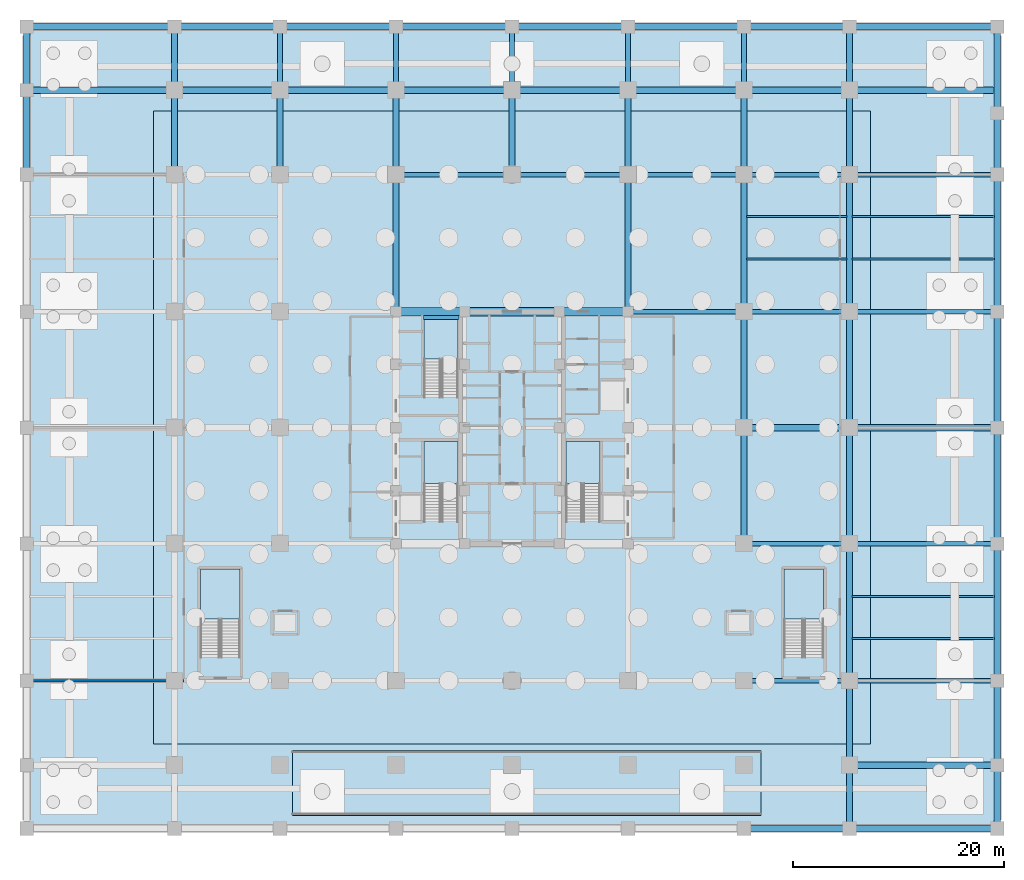
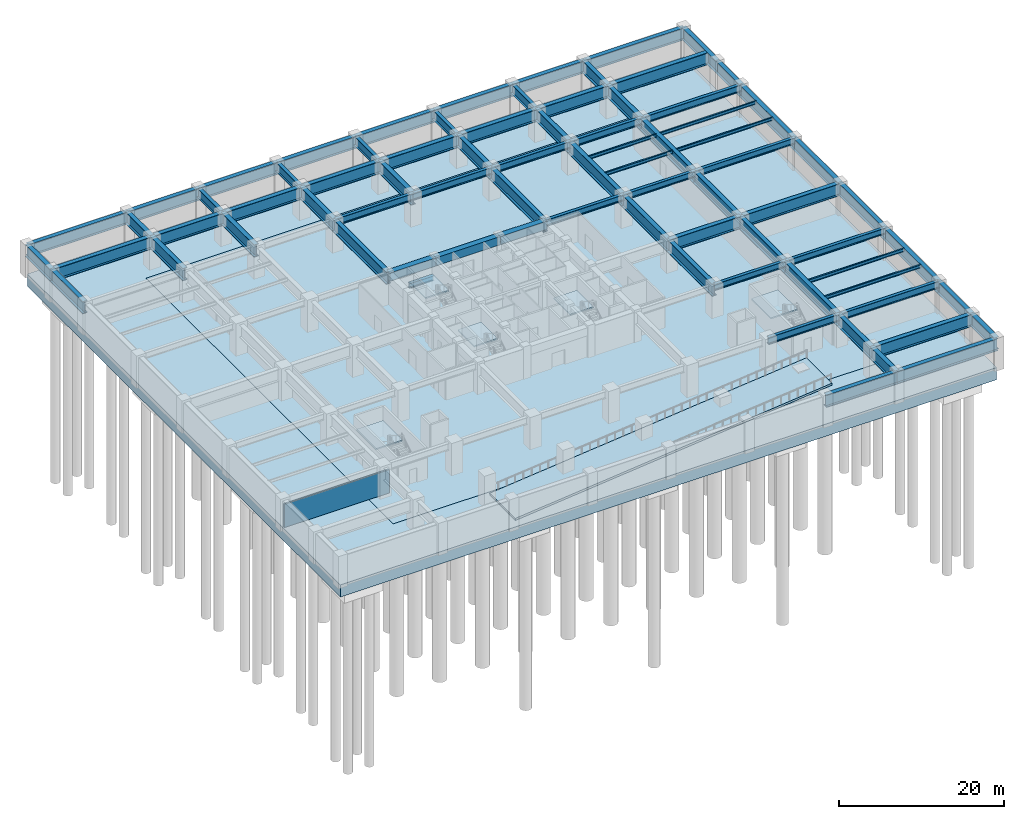
# One storey, part 3 of 13: 78 beams, 8 slabs, 1 wall, 5 elements without a shape of their own.
"""IFC4 building model written with IfcOpenShell, lengths in metres."""

from ifc_helpers import new_model, si_unit, direction, frame, frame_2d, origin, origin_2d, place, context, subcontext, project, spatial, polyline, rectangle, i_section, outline, extrude, source, transform, mapped, material, layer, layer_set, material_profile, profile_set, type_object, element, aggregate, save


model = new_model("IFC4")

# Units and contexts
model_context = context("Model", 3, precision=1e-05, world=origin(), true_north=direction((0.0, 1.0)))
body_context = subcontext(model_context, "Body", "Model", "MODEL_VIEW")
ifc_project = project(units=[si_unit("LENGTHUNIT", "METRE"), si_unit("AREAUNIT", "SQUARE_METRE"), si_unit("VOLUMEUNIT", "CUBIC_METRE"), si_unit("PLANEANGLEUNIT", "RADIAN"), si_unit("MASSUNIT", "GRAM", prefix="KILO")], contexts=[model_context])

# Site, building, storey
site_placement = place(None, origin())
site = spatial("IfcSite", under=ifc_project, at=site_placement, CompositionType="ELEMENT")
building_placement = place(site_placement, origin())
building = spatial("IfcBuilding", under=site, at=building_placement, Name="Khorayat Bourse Tower", CompositionType="ELEMENT")
storey_placement = place(building_placement, frame((0.0, 0.0, -9.60009765625)))
storey = spatial("IfcBuildingStorey", under=building, at=storey_placement, Name="B02", CompositionType="ELEMENT", Elevation=-9.60009765625)

# Beams
ifc_material_1 = material(Name="Concrete C72/90", Category="concrete")
ifc_material_profile_1 = material_profile(ifc_material_1, rectangle(XDim=0.800048828125, YDim=1.199951171875, at=origin_2d()), Name="RC 800x1200")
ifc_profile_set_1 = profile_set([ifc_material_profile_1], Name="Concrete C72/90")
beam_type_1 = type_object("IfcBeamType", Name="BM-COUP-1200", PredefinedType="BEAM", material=ifc_profile_set_1)
shared_shape_1 = source(origin(), body_context, "Body", "SweptSolid", [
    extrude(rectangle(XDim=0.800048828125, YDim=1.199951171875, at=origin_2d()), origin(), (0.0, 0.0, 1.0), 6.5),
])
for number, where, z_axis, x_axis, name in (
    (1, (-11.0, 11.0, 3.880126953125), (1.0, 0.0, 0.0), (0.0, 1.0, 0.0), "B02 BM-COUP-1200 BM-B02-CRY-20"),
    (2, (4.5, 11.0, 3.880126953125), (1.0, 0.0, 0.0), (0.0, 1.0, 0.0), "B02 BM-COUP-1200 BM-B02-CRY-22"),
):
    element("IfcBeam", number, at=place(storey_placement, frame(where, z_axis=z_axis, x_axis=x_axis)), inside=storey, type_object=beam_type_1, Name=name, PredefinedType="BEAM", context=body_context, shape_type="MappedRepresentation", body=[
        mapped(shared_shape_1, transform((0.0, 0.0, 0.0), scale=1.0)),
    ])
shared_shape_2 = source(origin(), body_context, "Body", "SweptSolid", [
    extrude(rectangle(XDim=0.800048828125, YDim=1.199951171875, at=origin_2d()), origin(), (0.0, 0.0, 1.0), 9.0),
])
beam_1_placement = place(storey_placement, frame((-4.5, 11.0, 3.880126953125), z_axis=(1.0, 0.0, 0.0), x_axis=(0.0, 1.0, 0.0)))
element("IfcBeam", 3, at=beam_1_placement, inside=storey, type_object=beam_type_1, Name="B02 BM-COUP-1200 BM-B02-CRY-21", PredefinedType="BEAM", context=body_context, shape_type="MappedRepresentation", body=[
    mapped(shared_shape_2, transform((0.0, 0.0, 0.0), scale=1.0)),
])
ifc_material_2 = material(Name="Steel ASTM A992 Grade 50", Category="steel")
ifc_material_profile_2 = material_profile(ifc_material_2, i_section(OverallWidth=0.35498046875, OverallDepth=0.695068359375, WebThickness=0.015380859375, FlangeThickness=0.02490234375, FilletRadius=0.01806640625, at=origin_2d()), Name="W690X217")
ifc_profile_set_2 = profile_set([ifc_material_profile_2], Name="Steel ASTM A992 Grade 50")
beam_type_2 = type_object("IfcBeamType", Name="BM-GIRD-690", PredefinedType="BEAM", material=ifc_profile_set_2)
shared_shape_3 = source(origin(), body_context, "Body", "SweptSolid", [
    extrude(i_section(OverallWidth=0.35498046875, OverallDepth=0.695068359375, WebThickness=0.015380859375, FlangeThickness=0.02490234375, FilletRadius=0.01806640625, at=origin_2d()), origin(), (0.0, 0.0, 1.0), 3.39990234375),
])
beam_2_placement = place(storey_placement, frame((-8.419921875, 10.449951171875, 1.8525390625), z_axis=(1.0, 0.0, 0.0), x_axis=(0.0, 1.0, 0.0)))
element("IfcBeam", 4, at=beam_2_placement, inside=storey, type_object=beam_type_2, Name="B02 BM-GIRD-690 BM-B02-ST2L", PredefinedType="BEAM", context=body_context, shape_type="MappedRepresentation", body=[
    mapped(shared_shape_3, transform((0.0, 0.0, 0.0), scale=1.0)),
])
ifc_material_3 = material(Name="Steel EN 10025-4 S460M", Category="steel")
ifc_material_profile_3 = material_profile(ifc_material_3, i_section(OverallWidth=0.60009765625, OverallDepth=1.800048828125, WebThickness=0.031982421875, FlangeThickness=0.06005859375, at=origin_2d()), Name="PG 1800x600x32x60")
ifc_profile_set_3 = profile_set([ifc_material_profile_3], Name="Steel EN 10025-4 S460M")
beam_type_3 = type_object("IfcBeamType", Name="BM-TR-1800", PredefinedType="BEAM", material=ifc_profile_set_3)
shared_shape_4 = source(origin(), body_context, "Body", "SweptSolid", [
    extrude(i_section(OverallWidth=0.60009765625, OverallDepth=1.800048828125, WebThickness=0.031982421875, FlangeThickness=0.06005859375, at=origin_2d()), origin(), (0.0, 0.0, 1.0), 14.0),
])
for number, where, z_axis, x_axis, name in (
    (5, (32.0, -38.0, 3.580078125), (1.0, 0.0, 0.0), (0.0, 1.0, 0.0), "B02 BM-TR-1800 BM-B02-PGX-031"),
    (6, (32.0, -32.0, 3.580078125), (1.0, 0.0, 0.0), (0.0, 1.0, 0.0), "B02 BM-TR-1800 BM-B02-PGX-033"),
    (7, (32.0, 0.0, 3.580078125), (1.0, 0.0, 0.0), (0.0, 1.0, 0.0), "B02 BM-TR-1800 BM-B02-PGX-056"),
    (8, (-46.0, 32.0, 3.580078125), (1.0, 0.0, 0.0), (0.0, 1.0, 0.0), "B02 BM-TR-1800 BM-B02-PGX-074"),
    (9, (32.0, 32.0, 3.580078125), (1.0, 0.0, 0.0), (0.0, 1.0, 0.0), "B02 BM-TR-1800 BM-B02-PGX-081"),
    (10, (-46.0, 38.0, 3.580078125), (1.0, 0.0, 0.0), (0.0, 1.0, 0.0), "B02 BM-TR-1800 BM-B02-PGX-082"),
    (11, (32.0, 38.0, 3.580078125), (1.0, 0.0, 0.0), (0.0, 1.0, 0.0), "B02 BM-TR-1800 BM-B02-PGX-089"),
):
    element("IfcBeam", number, at=place(storey_placement, frame(where, z_axis=z_axis, x_axis=x_axis)), inside=storey, type_object=beam_type_3, Name=name, PredefinedType="BEAM", context=body_context, shape_type="MappedRepresentation", body=[
        mapped(shared_shape_4, transform((0.0, 0.0, 0.0), scale=1.0)),
    ])
shared_shape_5 = source(origin(), body_context, "Body", "SweptSolid", [
    extrude(i_section(OverallWidth=0.60009765625, OverallDepth=1.800048828125, WebThickness=0.031982421875, FlangeThickness=0.06005859375, at=origin_2d()), origin(), (0.0, 0.0, 1.0), 10.0),
])
for number, where, z_axis, x_axis, name in (
    (12, (22.0, -38.0, 3.580078125), (1.0, 0.0, 0.0), (0.0, 1.0, 0.0), "B02 BM-TR-1800 BM-B02-PGX-030"),
    (13, (22.0, 0.0, 3.580078125), (1.0, 0.0, 0.0), (0.0, 1.0, 0.0), "B02 BM-TR-1800 BM-B02-PGX-055"),
    (14, (-32.0, 32.0, 3.580078125), (1.0, 0.0, 0.0), (0.0, 1.0, 0.0), "B02 BM-TR-1800 BM-B02-PGX-075"),
    (15, (22.0, 32.0, 3.580078125), (1.0, 0.0, 0.0), (0.0, 1.0, 0.0), "B02 BM-TR-1800 BM-B02-PGX-080"),
    (16, (-32.0, 38.0, 3.580078125), (1.0, 0.0, 0.0), (0.0, 1.0, 0.0), "B02 BM-TR-1800 BM-B02-PGX-083"),
    (17, (22.0, 38.0, 3.580078125), (1.0, 0.0, 0.0), (0.0, 1.0, 0.0), "B02 BM-TR-1800 BM-B02-PGX-088"),
):
    element("IfcBeam", number, at=place(storey_placement, frame(where, z_axis=z_axis, x_axis=x_axis)), inside=storey, type_object=beam_type_3, Name=name, PredefinedType="BEAM", context=body_context, shape_type="MappedRepresentation", body=[
        mapped(shared_shape_5, transform((0.0, 0.0, 0.0), scale=1.0)),
    ])
shared_shape_6 = source(origin(), body_context, "Body", "SweptSolid", [
    extrude(i_section(OverallWidth=0.60009765625, OverallDepth=1.800048828125, WebThickness=0.031982421875, FlangeThickness=0.06005859375, at=origin_2d()), origin(), (0.0, 0.0, 1.0), 11.0),
])
for number, where, z_axis, x_axis, name in (
    (18, (-22.0, 32.0, 3.580078125), (1.0, 0.0, 0.0), (0.0, 1.0, 0.0), "B02 BM-TR-1800 BM-B02-PGX-076"),
    (19, (-11.0, 32.0, 3.580078125), (1.0, 0.0, 0.0), (0.0, 1.0, 0.0), "B02 BM-TR-1800 BM-B02-PGX-077"),
    (20, (0.0, 32.0, 3.580078125), (1.0, 0.0, 0.0), (0.0, 1.0, 0.0), "B02 BM-TR-1800 BM-B02-PGX-078"),
    (21, (11.0, 32.0, 3.580078125), (1.0, 0.0, 0.0), (0.0, 1.0, 0.0), "B02 BM-TR-1800 BM-B02-PGX-079"),
    (22, (-22.0, 38.0, 3.580078125), (1.0, 0.0, 0.0), (0.0, 1.0, 0.0), "B02 BM-TR-1800 BM-B02-PGX-084"),
    (23, (-11.0, 38.0, 3.580078125), (1.0, 0.0, 0.0), (0.0, 1.0, 0.0), "B02 BM-TR-1800 BM-B02-PGX-085"),
    (24, (0.0, 38.0, 3.580078125), (1.0, 0.0, 0.0), (0.0, 1.0, 0.0), "B02 BM-TR-1800 BM-B02-PGX-086"),
    (25, (11.0, 38.0, 3.580078125), (1.0, 0.0, 0.0), (0.0, 1.0, 0.0), "B02 BM-TR-1800 BM-B02-PGX-087"),
    (26, (22.0, -11.0, 3.580078125), (0.0, 1.0, 0.0), (-1.0, 0.0, 0.0), "B02 BM-TR-1800 BM-B02-PGY-126"),
    (27, (22.0, 0.0, 3.580078125), (0.0, 1.0, 0.0), (-1.0, 0.0, 0.0), "B02 BM-TR-1800 BM-B02-PGY-127"),
    (28, (32.0, -11.0, 3.580078125), (0.0, 1.0, 0.0), (-1.0, 0.0, 0.0), "B02 BM-TR-1800 BM-B02-PGY-134"),
    (29, (32.0, 0.0, 3.580078125), (0.0, 1.0, 0.0), (-1.0, 0.0, 0.0), "B02 BM-TR-1800 BM-B02-PGY-135"),
    (30, (46.0, -11.0, 3.580078125), (0.0, 1.0, 0.0), (-1.0, 0.0, 0.0), "B02 BM-TR-1800 BM-B02-PGY-142"),
    (31, (46.0, 0.0, 3.580078125), (0.0, 1.0, 0.0), (-1.0, 0.0, 0.0), "B02 BM-TR-1800 BM-B02-PGY-143"),
):
    element("IfcBeam", number, at=place(storey_placement, frame(where, z_axis=z_axis, x_axis=x_axis)), inside=storey, type_object=beam_type_3, Name=name, PredefinedType="BEAM", context=body_context, shape_type="MappedRepresentation", body=[
        mapped(shared_shape_6, transform((0.0, 0.0, 0.0), scale=1.0)),
    ])
ifc_material_4 = material(Name="Steel ASTM A913 Grade 65", Category="steel")
ifc_material_profile_4 = material_profile(ifc_material_4, i_section(OverallWidth=0.427978515625, OverallDepth=1.035888671875, WebThickness=0.0244140625, FlangeThickness=0.0419921875, FilletRadius=0.02392578125, at=origin_2d()), Name="W1000X443")
ifc_profile_set_4 = profile_set([ifc_material_profile_4], Name="Steel ASTM A913 Grade 65")
beam_type_4 = type_object("IfcBeamType", Name="BM-HALL-1000", PredefinedType="BEAM", material=ifc_profile_set_4)
shared_shape_7 = source(origin(), body_context, "Body", "SweptSolid", [
    extrude(i_section(OverallWidth=0.427978515625, OverallDepth=1.035888671875, WebThickness=0.0244140625, FlangeThickness=0.0419921875, FilletRadius=0.02392578125, at=origin_2d()), origin(), (0.0, 0.0, 1.0), 14.0),
])
for number, where, z_axis, x_axis, name in (
    (32, (32.0, -24.0, 3.962158203125), (1.0, 0.0, 0.0), (0.0, 1.0, 0.0), "B02 BM-HALL-1000 BM-B02-PGX-041"),
    (33, (32.0, 24.0, 3.962158203125), (1.0, 0.0, 0.0), (0.0, 1.0, 0.0), "B02 BM-HALL-1000 BM-B02-PGX-073"),
):
    element("IfcBeam", number, at=place(storey_placement, frame(where, z_axis=z_axis, x_axis=x_axis)), inside=storey, type_object=beam_type_4, Name=name, PredefinedType="BEAM", context=body_context, shape_type="MappedRepresentation", body=[
        mapped(shared_shape_7, transform((0.0, 0.0, 0.0), scale=1.0)),
    ])
shared_shape_8 = source(origin(), body_context, "Body", "SweptSolid", [
    extrude(i_section(OverallWidth=0.427978515625, OverallDepth=1.035888671875, WebThickness=0.0244140625, FlangeThickness=0.0419921875, FilletRadius=0.02392578125, at=origin_2d()), origin(), (0.0, 0.0, 1.0), 10.0),
])
for number, where, z_axis, x_axis, name in (
    (34, (22.0, -24.0, 3.962158203125), (1.0, 0.0, 0.0), (0.0, 1.0, 0.0), "B02 BM-HALL-1000 BM-B02-PGX-040"),
    (35, (22.0, 24.0, 3.962158203125), (1.0, 0.0, 0.0), (0.0, 1.0, 0.0), "B02 BM-HALL-1000 BM-B02-PGX-072"),
):
    element("IfcBeam", number, at=place(storey_placement, frame(where, z_axis=z_axis, x_axis=x_axis)), inside=storey, type_object=beam_type_4, Name=name, PredefinedType="BEAM", context=body_context, shape_type="MappedRepresentation", body=[
        mapped(shared_shape_8, transform((0.0, 0.0, 0.0), scale=1.0)),
    ])
shared_shape_9 = source(origin(), body_context, "Body", "SweptSolid", [
    extrude(i_section(OverallWidth=0.427978515625, OverallDepth=1.035888671875, WebThickness=0.0244140625, FlangeThickness=0.0419921875, FilletRadius=0.02392578125, at=origin_2d()), origin(), (0.0, 0.0, 1.0), 11.0),
])
for number, where, z_axis, x_axis, name in (
    (36, (-11.0, 24.0, 3.962158203125), (1.0, 0.0, 0.0), (0.0, 1.0, 0.0), "B02 BM-HALL-1000 BM-B02-PGX-069"),
    (37, (0.0, 24.0, 3.962158203125), (1.0, 0.0, 0.0), (0.0, 1.0, 0.0), "B02 BM-HALL-1000 BM-B02-PGX-070"),
    (38, (11.0, 24.0, 3.962158203125), (1.0, 0.0, 0.0), (0.0, 1.0, 0.0), "B02 BM-HALL-1000 BM-B02-PGX-071"),
):
    element("IfcBeam", number, at=place(storey_placement, frame(where, z_axis=z_axis, x_axis=x_axis)), inside=storey, type_object=beam_type_4, Name=name, PredefinedType="BEAM", context=body_context, shape_type="MappedRepresentation", body=[
        mapped(shared_shape_9, transform((0.0, 0.0, 0.0), scale=1.0)),
    ])
ifc_material_profile_5 = material_profile(ifc_material_4, i_section(OverallWidth=0.41796875, OverallDepth=0.912109375, WebThickness=0.019287109375, FlangeThickness=0.031982421875, FilletRadius=0.02197265625, at=origin_2d()), Name="W920X342")
ifc_profile_set_5 = profile_set([ifc_material_profile_5], Name="Steel ASTM A913 Grade 65")
beam_type_5 = type_object("IfcBeamType", Name="BM-HALL-920", PredefinedType="BEAM", material=ifc_profile_set_5)
shared_shape_10 = source(origin(), body_context, "Body", "SweptSolid", [
    extrude(i_section(OverallWidth=0.41796875, OverallDepth=0.912109375, WebThickness=0.019287109375, FlangeThickness=0.031982421875, FilletRadius=0.02197265625, at=origin_2d()), origin(), (0.0, 0.0, 1.0), 14.0),
])
for number, where, z_axis, x_axis, name in (
    (39, (32.0, -11.0, 4.024169921875), (1.0, 0.0, 0.0), (0.0, 1.0, 0.0), "B02 BM-HALL-920 BM-B02-PGX-050"),
    (40, (32.0, 11.0, 4.024169921875), (1.0, 0.0, 0.0), (0.0, 1.0, 0.0), "B02 BM-HALL-920 BM-B02-PGX-065"),
):
    element("IfcBeam", number, at=place(storey_placement, frame(where, z_axis=z_axis, x_axis=x_axis)), inside=storey, type_object=beam_type_5, Name=name, PredefinedType="BEAM", context=body_context, shape_type="MappedRepresentation", body=[
        mapped(shared_shape_10, transform((0.0, 0.0, 0.0), scale=1.0)),
    ])
shared_shape_11 = source(origin(), body_context, "Body", "SweptSolid", [
    extrude(i_section(OverallWidth=0.41796875, OverallDepth=0.912109375, WebThickness=0.019287109375, FlangeThickness=0.031982421875, FilletRadius=0.02197265625, at=origin_2d()), origin(), (0.0, 0.0, 1.0), 10.0),
])
for number, where, z_axis, x_axis, name in (
    (41, (22.0, -11.0, 4.024169921875), (1.0, 0.0, 0.0), (0.0, 1.0, 0.0), "B02 BM-HALL-920 BM-B02-PGX-049"),
    (42, (22.0, 11.0, 4.024169921875), (1.0, 0.0, 0.0), (0.0, 1.0, 0.0), "B02 BM-HALL-920 BM-B02-PGX-064"),
):
    element("IfcBeam", number, at=place(storey_placement, frame(where, z_axis=z_axis, x_axis=x_axis)), inside=storey, type_object=beam_type_5, Name=name, PredefinedType="BEAM", context=body_context, shape_type="MappedRepresentation", body=[
        mapped(shared_shape_11, transform((0.0, 0.0, 0.0), scale=1.0)),
    ])
shared_shape_12 = source(origin(), body_context, "Body", "SweptSolid", [
    extrude(i_section(OverallWidth=0.41796875, OverallDepth=0.912109375, WebThickness=0.019287109375, FlangeThickness=0.031982421875, FilletRadius=0.02197265625, at=origin_2d()), origin(), (0.0, 0.0, 1.0), 11.0),
])
beam_3_placement = place(storey_placement, frame((11.0, 11.0, 4.024169921875), z_axis=(1.0, 0.0, 0.0), x_axis=(0.0, 1.0, 0.0)))
element("IfcBeam", 43, at=beam_3_placement, inside=storey, type_object=beam_type_5, Name="B02 BM-HALL-920 BM-B02-PGX-063", PredefinedType="BEAM", context=body_context, shape_type="MappedRepresentation", body=[
    mapped(shared_shape_12, transform((0.0, 0.0, 0.0), scale=1.0)),
])
shared_shape_13 = source(origin(), body_context, "Body", "SweptSolid", [
    extrude(i_section(OverallWidth=0.60009765625, OverallDepth=1.800048828125, WebThickness=0.031982421875, FlangeThickness=0.06005859375, at=origin_2d()), origin(), (0.0, 0.0, 1.0), 6.0),
])
for number, where, z_axis, x_axis, name in (
    (44, (-46.0, 32.0, 3.580078125), (0.0, 1.0, 0.0), (-1.0, 0.0, 0.0), "B02 BM-TR-1800 BM-B02-PGY-097"),
    (45, (-32.0, 32.0, 3.580078125), (0.0, 1.0, 0.0), (-1.0, 0.0, 0.0), "B02 BM-TR-1800 BM-B02-PGY-105"),
    (46, (32.0, -38.0, 3.580078125), (0.0, 1.0, 0.0), (-1.0, 0.0, 0.0), "B02 BM-TR-1800 BM-B02-PGY-131"),
    (47, (32.0, 32.0, 3.580078125), (0.0, 1.0, 0.0), (-1.0, 0.0, 0.0), "B02 BM-TR-1800 BM-B02-PGY-138"),
    (48, (46.0, -38.0, 3.580078125), (0.0, 1.0, 0.0), (-1.0, 0.0, 0.0), "B02 BM-TR-1800 BM-B02-PGY-139"),
):
    element("IfcBeam", number, at=place(storey_placement, frame(where, z_axis=z_axis, x_axis=x_axis)), inside=storey, type_object=beam_type_3, Name=name, PredefinedType="BEAM", context=body_context, shape_type="MappedRepresentation", body=[
        mapped(shared_shape_13, transform((0.0, 0.0, 0.0), scale=1.0)),
    ])
shared_shape_14 = source(origin(), body_context, "Body", "SweptSolid", [
    extrude(i_section(OverallWidth=0.60009765625, OverallDepth=1.800048828125, WebThickness=0.031982421875, FlangeThickness=0.06005859375, at=origin_2d()), origin(), (0.0, 0.0, 1.0), 8.0),
])
for number, where, z_axis, x_axis, name in (
    (49, (-46.0, 24.0, 3.580078125), (0.0, 1.0, 0.0), (-1.0, 0.0, 0.0), "B02 BM-TR-1800 BM-B02-PGY-096"),
    (50, (-32.0, 24.0, 3.580078125), (0.0, 1.0, 0.0), (-1.0, 0.0, 0.0), "B02 BM-TR-1800 BM-B02-PGY-104"),
    (51, (-22.0, 24.0, 3.580078125), (0.0, 1.0, 0.0), (-1.0, 0.0, 0.0), "B02 BM-TR-1800 BM-B02-PGY-109"),
    (52, (-11.0, 24.0, 3.580078125), (0.0, 1.0, 0.0), (-1.0, 0.0, 0.0), "B02 BM-TR-1800 BM-B02-PGY-116"),
    (53, (0.0, 24.0, 3.580078125), (0.0, 1.0, 0.0), (-1.0, 0.0, 0.0), "B02 BM-TR-1800 BM-B02-PGY-118"),
    (54, (11.0, 24.0, 3.580078125), (0.0, 1.0, 0.0), (-1.0, 0.0, 0.0), "B02 BM-TR-1800 BM-B02-PGY-124"),
    (55, (22.0, 24.0, 3.580078125), (0.0, 1.0, 0.0), (-1.0, 0.0, 0.0), "B02 BM-TR-1800 BM-B02-PGY-129"),
    (56, (32.0, -32.0, 3.580078125), (0.0, 1.0, 0.0), (-1.0, 0.0, 0.0), "B02 BM-TR-1800 BM-B02-PGY-132"),
    (57, (32.0, 24.0, 3.580078125), (0.0, 1.0, 0.0), (-1.0, 0.0, 0.0), "B02 BM-TR-1800 BM-B02-PGY-137"),
    (58, (46.0, -32.0, 3.580078125), (0.0, 1.0, 0.0), (-1.0, 0.0, 0.0), "B02 BM-TR-1800 BM-B02-PGY-140"),
):
    element("IfcBeam", number, at=place(storey_placement, frame(where, z_axis=z_axis, x_axis=x_axis)), inside=storey, type_object=beam_type_3, Name=name, PredefinedType="BEAM", context=body_context, shape_type="MappedRepresentation", body=[
        mapped(shared_shape_14, transform((0.0, 0.0, 0.0), scale=1.0)),
    ])
shared_shape_15 = source(origin(), body_context, "Body", "SweptSolid", [
    extrude(i_section(OverallWidth=0.60009765625, OverallDepth=1.800048828125, WebThickness=0.031982421875, FlangeThickness=0.06005859375, at=origin_2d()), origin(), (0.0, 0.0, 1.0), 13.0),
])
for number, where, z_axis, x_axis, name in (
    (59, (-11.0, 11.0, 3.580078125), (0.0, 1.0, 0.0), (-1.0, 0.0, 0.0), "B02 BM-TR-1800 BM-B02-PGY-115"),
    (60, (11.0, 11.0, 3.580078125), (0.0, 1.0, 0.0), (-1.0, 0.0, 0.0), "B02 BM-TR-1800 BM-B02-PGY-123"),
    (61, (22.0, 11.0, 3.580078125), (0.0, 1.0, 0.0), (-1.0, 0.0, 0.0), "B02 BM-TR-1800 BM-B02-PGY-128"),
    (62, (32.0, -24.0, 3.580078125), (0.0, 1.0, 0.0), (-1.0, 0.0, 0.0), "B02 BM-TR-1800 BM-B02-PGY-133"),
    (63, (32.0, 11.0, 3.580078125), (0.0, 1.0, 0.0), (-1.0, 0.0, 0.0), "B02 BM-TR-1800 BM-B02-PGY-136"),
    (64, (46.0, -24.0, 3.580078125), (0.0, 1.0, 0.0), (-1.0, 0.0, 0.0), "B02 BM-TR-1800 BM-B02-PGY-141"),
    (65, (46.0, 11.0, 3.580078125), (0.0, 1.0, 0.0), (-1.0, 0.0, 0.0), "B02 BM-TR-1800 BM-B02-PGY-144"),
):
    element("IfcBeam", number, at=place(storey_placement, frame(where, z_axis=z_axis, x_axis=x_axis)), inside=storey, type_object=beam_type_3, Name=name, PredefinedType="BEAM", context=body_context, shape_type="MappedRepresentation", body=[
        mapped(shared_shape_15, transform((0.0, 0.0, 0.0), scale=1.0)),
    ])
ifc_material_profile_6 = material_profile(ifc_material_3, i_section(OverallWidth=0.5, OverallDepth=1.39990234375, WebThickness=0.02490234375, FlangeThickness=0.050048828125, at=origin_2d()), Name="PG 1400x500x25x50")
ifc_profile_set_6 = profile_set([ifc_material_profile_6], Name="Steel EN 10025-4 S460M")
beam_type_6 = type_object("IfcBeamType", Name="BM-TR-1400", PredefinedType="BEAM", material=ifc_profile_set_6)
shared_shape_16 = source(origin(), body_context, "Body", "SweptSolid", [
    extrude(i_section(OverallWidth=0.5, OverallDepth=1.39990234375, WebThickness=0.02490234375, FlangeThickness=0.050048828125, at=origin_2d()), origin(), (0.0, 0.0, 1.0), 6.0),
])
for number, where, z_axis, x_axis, name in (
    (66, (-22.0, 32.0, 3.780029296875), (0.0, 1.0, 0.0), (-1.0, 0.0, 0.0), "B02 BM-TR-1400 BM-B02-PGY-110"),
    (67, (-11.0, 32.0, 3.780029296875), (0.0, 1.0, 0.0), (-1.0, 0.0, 0.0), "B02 BM-TR-1400 BM-B02-PGY-117"),
    (68, (0.0, 32.0, 3.780029296875), (0.0, 1.0, 0.0), (-1.0, 0.0, 0.0), "B02 BM-TR-1400 BM-B02-PGY-119"),
    (69, (11.0, 32.0, 3.780029296875), (0.0, 1.0, 0.0), (-1.0, 0.0, 0.0), "B02 BM-TR-1400 BM-B02-PGY-125"),
    (70, (22.0, 32.0, 3.780029296875), (0.0, 1.0, 0.0), (-1.0, 0.0, 0.0), "B02 BM-TR-1400 BM-B02-PGY-130"),
):
    element("IfcBeam", number, at=place(storey_placement, frame(where, z_axis=z_axis, x_axis=x_axis)), inside=storey, type_object=beam_type_6, Name=name, PredefinedType="BEAM", context=body_context, shape_type="MappedRepresentation", body=[
        mapped(shared_shape_16, transform((0.0, 0.0, 0.0), scale=1.0)),
    ])
shared_shape_17 = source(origin(), body_context, "Body", "SweptSolid", [
    extrude(i_section(OverallWidth=0.60009765625, OverallDepth=1.800048828125, WebThickness=0.031982421875, FlangeThickness=0.06005859375, at=origin_2d()), origin(), (0.0, 0.0, 1.0), 5.800048828125),
])
beam_4_placement = place(storey_placement, frame((46.0, 24.0, 3.580078125), z_axis=(0.0, 1.0, 0.0), x_axis=(-1.0, 0.0, 0.0)))
element("IfcBeam", 71, at=beam_4_placement, inside=storey, type_object=beam_type_3, Name="B02 BM-TR-1800 BM-B02-PGY-145", PredefinedType="BEAM", context=body_context, shape_type="MappedRepresentation", body=[
    mapped(shared_shape_17, transform((0.0, 0.0, 0.0), scale=1.0)),
])
shared_shape_18 = source(origin(), body_context, "Body", "SweptSolid", [
    extrude(i_section(OverallWidth=0.60009765625, OverallDepth=1.800048828125, WebThickness=0.031982421875, FlangeThickness=0.06005859375, at=origin_2d()), origin(), (0.0, 0.0, 1.0), 8.199951171875),
])
beam_5_placement = place(storey_placement, frame((46.0, 29.800048828125, 3.580078125), z_axis=(0.0, 1.0, 0.0), x_axis=(-1.0, 0.0, 0.0)))
element("IfcBeam", 72, at=beam_5_placement, inside=storey, type_object=beam_type_3, Name="B02 BM-TR-1800 BM-B02-PGY-146", PredefinedType="BEAM", context=body_context, shape_type="MappedRepresentation", body=[
    mapped(shared_shape_18, transform((0.0, 0.0, 0.0), scale=1.0)),
])
ifc_material_profile_7 = material_profile(ifc_material_2, i_section(OverallWidth=0.194091796875, OverallDepth=0.468994140625, WebThickness=0.0126953125, FlangeThickness=0.0205078125, FilletRadius=0.012939453125, at=origin_2d()), Name="W460X106")
ifc_profile_set_7 = profile_set([ifc_material_profile_7], Name="Steel ASTM A992 Grade 50")
beam_type_7 = type_object("IfcBeamType", Name="BM-JOIST-460", PredefinedType="JOIST", material=ifc_profile_set_7)
shared_shape_19 = source(origin(), body_context, "Body", "SweptSolid", [
    extrude(i_section(OverallWidth=0.194091796875, OverallDepth=0.468994140625, WebThickness=0.0126953125, FlangeThickness=0.0205078125, FilletRadius=0.012939453125, at=origin_2d()), origin(), (0.0, 0.0, 1.0), 13.52001953125),
])
for number, where, z_axis, x_axis, name in (
    (73, (32.239990234375, -20.0, 4.24560546875), (1.0, 0.0, 0.0), (0.0, 1.0, 0.0), "B02 BM-JOIST-460 BM-B02-PJ-148"),
    (74, (32.239990234375, -16.0, 4.24560546875), (1.0, 0.0, 0.0), (0.0, 1.0, 0.0), "B02 BM-JOIST-460 BM-B02-PJ-150"),
    (75, (32.239990234375, 16.0, 4.24560546875), (1.0, 0.0, 0.0), (0.0, 1.0, 0.0), "B02 BM-JOIST-460 BM-B02-PJ-154"),
    (76, (32.239990234375, 20.0, 4.24560546875), (1.0, 0.0, 0.0), (0.0, 1.0, 0.0), "B02 BM-JOIST-460 BM-B02-PJ-158"),
):
    element("IfcBeam", number, at=place(storey_placement, frame(where, z_axis=z_axis, x_axis=x_axis)), inside=storey, type_object=beam_type_7, Name=name, PredefinedType="JOIST", context=body_context, shape_type="MappedRepresentation", body=[
        mapped(shared_shape_19, transform((0.0, 0.0, 0.0), scale=1.0)),
    ])
shared_shape_20 = source(origin(), body_context, "Body", "SweptSolid", [
    extrude(i_section(OverallWidth=0.194091796875, OverallDepth=0.468994140625, WebThickness=0.0126953125, FlangeThickness=0.0205078125, FilletRadius=0.012939453125, at=origin_2d()), origin(), (0.0, 0.0, 1.0), 9.52001953125),
])
for number, where, z_axis, x_axis, name in (
    (77, (22.239990234375, 16.0, 4.24560546875), (1.0, 0.0, 0.0), (0.0, 1.0, 0.0), "B02 BM-JOIST-460 BM-B02-PJ-153"),
    (78, (22.239990234375, 20.0, 4.24560546875), (1.0, 0.0, 0.0), (0.0, 1.0, 0.0), "B02 BM-JOIST-460 BM-B02-PJ-157"),
):
    element("IfcBeam", number, at=place(storey_placement, frame(where, z_axis=z_axis, x_axis=x_axis)), inside=storey, type_object=beam_type_7, Name=name, PredefinedType="JOIST", context=body_context, shape_type="MappedRepresentation", body=[
        mapped(shared_shape_20, transform((0.0, 0.0, 0.0), scale=1.0)),
    ])

# Stair, slab
ifc_material_5 = material(Name="Concrete C40/50", Category="concrete")
stair_type_1 = type_object("IfcStairType", Name="STR-CORE-1550", PredefinedType="HALF_TURN_STAIR", material=ifc_material_5)
stair_1_placement = place(storey_placement, origin())
stair_1 = element("IfcStair", 79, at=stair_1_placement, inside=storey, type_object=stair_type_1, Name="B02 Exit Stair ST-1", PredefinedType="HALF_TURN_STAIR")
ifc_layer_1 = layer(ifc_material_5, 0.199951171875)
ifc_layer_set_1 = layer_set([ifc_layer_1], Name="Concrete C40/50")
slab_type_1 = type_object("IfcSlabType", Name="SLB-LANDING-200", PredefinedType="LANDING", material=ifc_layer_set_1)
slab_1_placement = place(storey_placement, frame((0.0, 0.0, 2.2001953125)))
slab_1 = element("IfcSlab", 80, at=slab_1_placement, type_object=slab_type_1, Name="ST-1 landing 1", PredefinedType="LANDING", context=body_context, shape_type="SweptSolid", body=[
    extrude(outline(polyline([(-5.10009765625, -5.31005859375), (-5.10009765625, -1.300048828125), (-8.35009765625, -1.300048828125), (-8.35009765625, -5.31005859375), (-5.10009765625, -5.31005859375)])), origin(), (0.0, 0.0, 1.0), 0.199951171875),
])
aggregate(stair_1, [slab_1])

stair_2_placement = place(storey_placement, origin())
stair_2 = element("IfcStair", 81, at=stair_2_placement, inside=storey, type_object=stair_type_1, Name="B02 Exit Stair ST-2", PredefinedType="HALF_TURN_STAIR")
slab_2_placement = place(storey_placement, frame((0.0, 0.0, 2.2001953125)))
slab_2 = element("IfcSlab", 82, at=slab_2_placement, type_object=slab_type_1, Name="ST-2 landing 1", PredefinedType="LANDING", context=body_context, shape_type="SweptSolid", body=[
    extrude(outline(polyline([(-5.10009765625, 6.489990234375), (-5.10009765625, 10.5), (-8.35009765625, 10.5), (-8.35009765625, 6.489990234375), (-5.10009765625, 6.489990234375)])), origin(), (0.0, 0.0, 1.0), 0.199951171875),
])
aggregate(stair_2, [slab_2])

stair_3_placement = place(storey_placement, origin())
stair_3 = element("IfcStair", 83, at=stair_3_placement, inside=storey, type_object=stair_type_1, Name="B02 Exit Stair ST-3", PredefinedType="HALF_TURN_STAIR")
slab_3_placement = place(storey_placement, frame((0.0, 0.0, 2.2001953125)))
slab_3 = element("IfcSlab", 84, at=slab_3_placement, type_object=slab_type_1, Name="ST-3 landing 1", PredefinedType="LANDING", context=body_context, shape_type="SweptSolid", body=[
    extrude(outline(polyline([(8.35009765625, -5.31005859375), (8.35009765625, -1.300048828125), (5.10009765625, -1.300048828125), (5.10009765625, -5.31005859375), (8.35009765625, -5.31005859375)])), origin(), (0.0, 0.0, 1.0), 0.199951171875),
])
aggregate(stair_3, [slab_3])

stair_type_2 = type_object("IfcStairType", Name="STR-POD-1800", PredefinedType="HALF_TURN_STAIR", material=ifc_material_5)
stair_4_placement = place(storey_placement, origin())
stair_4 = element("IfcStair", 85, at=stair_4_placement, inside=storey, type_object=stair_type_2, Name="B02 Exit Stair ST-P1", PredefinedType="HALF_TURN_STAIR")
slab_4_placement = place(storey_placement, frame((0.0, 0.0, 2.2001953125)))
slab_4 = element("IfcSlab", 86, at=slab_4_placement, type_object=slab_type_1, Name="ST-P1 landing 1", PredefinedType="LANDING", context=body_context, shape_type="SweptSolid", body=[
    extrude(outline(polyline([(-25.800048828125, -18.159912109375), (-25.800048828125, -13.39990234375), (-29.550048828125, -13.39990234375), (-29.550048828125, -18.159912109375), (-25.800048828125, -18.159912109375)])), origin(), (0.0, 0.0, 1.0), 0.199951171875),
])
aggregate(stair_4, [slab_4])

stair_5_placement = place(storey_placement, origin())
stair_5 = element("IfcStair", 87, at=stair_5_placement, inside=storey, type_object=stair_type_2, Name="B02 Exit Stair ST-P2", PredefinedType="HALF_TURN_STAIR")
slab_5_placement = place(storey_placement, frame((0.0, 0.0, 2.2001953125)))
slab_5 = element("IfcSlab", 88, at=slab_5_placement, type_object=slab_type_1, Name="ST-P2 landing 1", PredefinedType="LANDING", context=body_context, shape_type="SweptSolid", body=[
    extrude(outline(polyline([(29.550048828125, -18.159912109375), (29.550048828125, -13.39990234375), (25.800048828125, -13.39990234375), (25.800048828125, -18.159912109375), (29.550048828125, -18.159912109375)])), origin(), (0.0, 0.0, 1.0), 0.199951171875),
])
aggregate(stair_5, [slab_5])

# Slabs
ifc_material_6 = material(Name="Concrete C50/60", Category="concrete")
ifc_layer_2 = layer(ifc_material_6, 1.800048828125)
ifc_layer_set_2 = layer_set([ifc_layer_2], Name="Concrete C50/60")
slab_type_2 = type_object("IfcSlabType", Name="SLB-MAT-1800", PredefinedType="BASESLAB", material=ifc_layer_set_2)
slab_6_placement = place(storey_placement, frame((0.0, 0.0, -1.7998046875)))
element("IfcSlab", 89, at=slab_6_placement, inside=storey, type_object=slab_type_2, Name="B02 Peripheral Podium Mat Foundation", PredefinedType="BASESLAB", context=body_context, shape_type="SweptSolid", body=[
    extrude(outline(polyline([(-46.0, -38.0), (46.0, -38.0), (46.0, 38.0), (-46.0, 38.0), (-46.0, -38.0)]), holes=[polyline([(-34.0, -30.0), (34.0, -30.0), (34.0, 30.0), (-34.0, 30.0), (-34.0, -30.0)])]), origin(), (0.0, 0.0, 1.0), 1.7998046875),
])
ifc_layer_3 = layer(ifc_material_6, 3.199951171875)
ifc_layer_set_3 = layer_set([ifc_layer_3], Name="Concrete C50/60")
slab_type_3 = type_object("IfcSlabType", Name="SLB-RAFT-3200", PredefinedType="BASESLAB", material=ifc_layer_set_3)
slab_7_placement = place(storey_placement, frame((0.0, 0.0, -3.199951171875)))
element("IfcSlab", 90, at=slab_7_placement, inside=storey, type_object=slab_type_3, Name="B02 Tower Piled Raft Foundation", PredefinedType="BASESLAB", context=body_context, shape_type="SweptSolid", body=[
    extrude(outline(polyline([(-34.0, -30.0), (34.0, -30.0), (34.0, 30.0), (-34.0, 30.0), (-34.0, -30.0)])), origin(), (0.0, 0.0, 1.0), 3.199951171875),
])
ifc_layer_4 = layer(ifc_material_5, 0.300048828125)
ifc_layer_set_4 = layer_set([ifc_layer_4], Name="Concrete C40/50")
slab_type_4 = type_object("IfcSlabType", Name="SLB-RAMP-300", PredefinedType="USERDEFINED", material=ifc_layer_set_4)
slab_8_placement = place(storey_placement, frame((-20.800048828125, -36.800048828125, 0.2900390625), z_axis=(-0.101056460238, 0.0, 0.994880692266), x_axis=(0.994880692266, 0.0, 0.101056460238)))
element("IfcSlab", 91, at=slab_8_placement, inside=storey, type_object=slab_type_4, Name="B02-B01 Basement Vehicular Ramp Slab", ObjectType="VEHICLE RAMP", PredefinedType="USERDEFINED", context=body_context, shape_type="SweptSolid", body=[
    extrude(outline(polyline([(0.0, 0.0), (44.62861409365062, 0.0), (44.62861409365062, 6.199951171875), (0.0, 6.199951171875), (0.0, 0.0)])), origin(), (0.0, 0.0, -1.0), 0.300048828125),
])

# Wall
ifc_material_7 = material(Name="Aerated concrete blockwork", Category="masonry")
ifc_layer_5 = layer(ifc_material_7, 0.219970703125)
ifc_layer_set_5 = layer_set([ifc_layer_5], Name="Aerated concrete blockwork")
wall_type = type_object("IfcWallType", Name="WAL-PART-FF-220", PredefinedType="PARTITIONING", material=ifc_layer_set_5)
shared_shape_21 = source(origin(), body_context, "Body", "SweptSolid", [
    extrude(rectangle(XDim=14.699951171875, YDim=0.219970703125, at=frame_2d((7.35009765625, 0.0))), origin(), (0.0, 0.0, 1.0), 3.444091796875),
])
wall_placement = place(storey_placement, frame((-45.800048828125, -24.0, 0.0), z_axis=(0.0, 0.0, 1.0), x_axis=(1.0, 0.0, 0.0)))
element("IfcWall", 92, at=wall_placement, inside=storey, type_object=wall_type, Name="B02 Partition WAL-B02-BW-S", PredefinedType="PARTITIONING", context=body_context, shape_type="MappedRepresentation", body=[
    mapped(shared_shape_21, transform((0.0, 0.0, 0.0), scale=1.0)),
])

save(model, "model.ifc")
